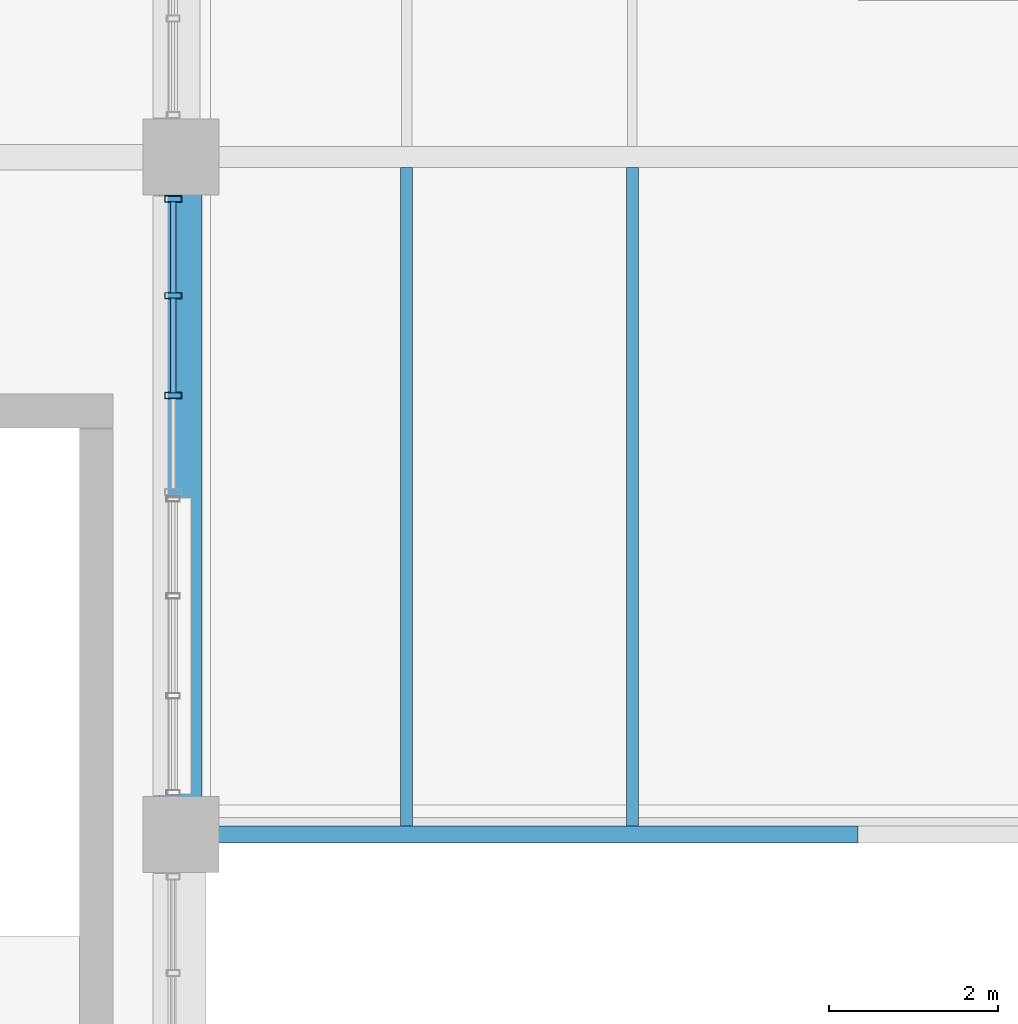
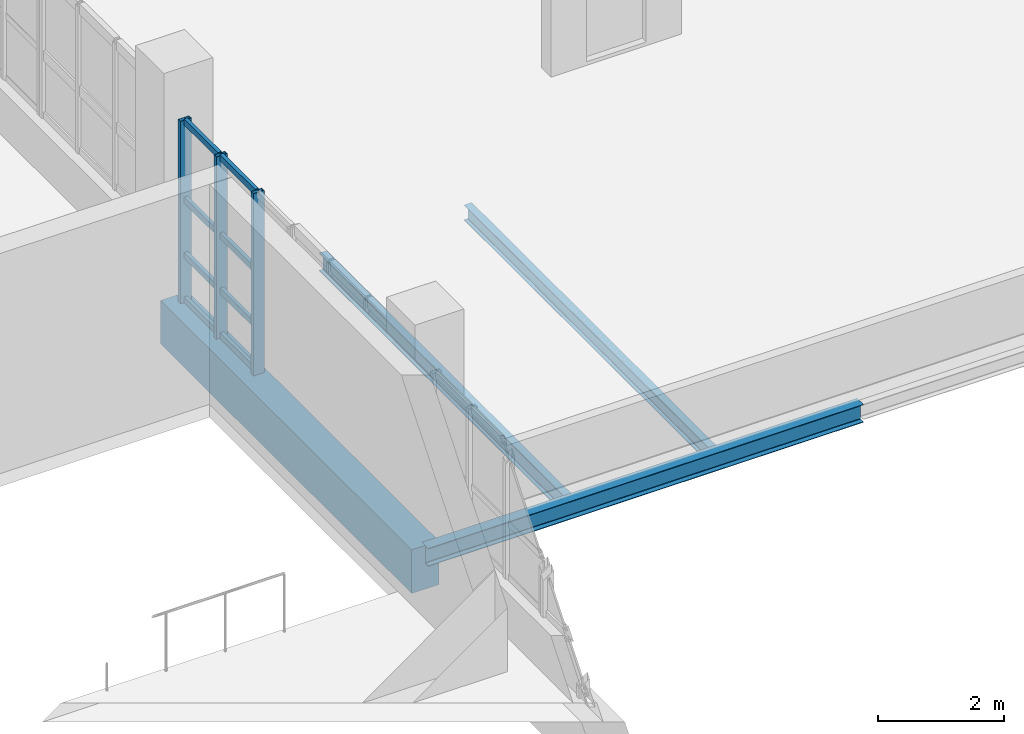
# One storey, part 11 of 85: 11 members, 4 beams, 1 element without a shape of its own.
"""IFC4 building model written with IfcOpenShell, lengths in metres."""

from ifc_helpers import new_model, si_unit, derived_unit, direction, frame, origin, origin_2d, place, context, subcontext, project, spatial, rectangle, hollow_rectangle, i_section, extrude, material, layer, layer_set, material_profile, profile_set, type_object, element, aggregate, save


model = new_model("IFC4")

# Units and contexts
model_context = context("Model", 3, precision=1e-05, world=origin(), true_north=direction((0.0, 1.0)))
body_context = subcontext(model_context, "Body", "Model", "MODEL_VIEW")
ifc_project = project(units=[si_unit("LENGTHUNIT", "METRE"), si_unit("AREAUNIT", "SQUARE_METRE"), si_unit("VOLUMEUNIT", "CUBIC_METRE"), si_unit("PLANEANGLEUNIT", "RADIAN"), si_unit("MASSUNIT", "GRAM", prefix="KILO"), derived_unit("THERMALTRANSMITTANCEUNIT", [(si_unit("POWERUNIT", "WATT"), 1), (si_unit("LENGTHUNIT", "METRE"), -2), (si_unit("THERMODYNAMICTEMPERATUREUNIT", "KELVIN"), -1)])], contexts=[model_context])

# Site, building, storey
site_placement = place(None, origin())
site = spatial("IfcSite", under=ifc_project, at=site_placement, CompositionType="ELEMENT")
building_placement = place(site_placement, origin())
building = spatial("IfcBuilding", under=site, at=building_placement, Name="Nallur Shell Playhouse", CompositionType="ELEMENT")
storey_placement = place(building_placement, frame((0.0, 0.0, 19.800048828125)))
storey = spatial("IfcBuildingStorey", under=building, at=storey_placement, Name="L05", CompositionType="ELEMENT", Elevation=19.800048828125)

# Beams
ifc_material_1 = material(Name="Steel E250", Category="steel")
ifc_material_profile_1 = material_profile(ifc_material_1, i_section(OverallWidth=0.139892578125, OverallDepth=0.300048828125, WebThickness=0.0078125, FlangeThickness=0.01318359375, FilletRadius=0.013916015625, at=origin_2d()), Name="ISMB 300")
ifc_profile_set_1 = profile_set([ifc_material_profile_1], Name="Steel E250")
beam_type_1 = type_object("IfcBeamType", Name="BM-JST-ISMB300", PredefinedType="JOIST", material=ifc_profile_set_1)
beam_1_placement = place(storey_placement, frame((45.333251953125, 16.097900390625, -0.400146484375), z_axis=(0.0, 1.0, 0.0), x_axis=(-1.0, 0.0, 0.0)))
element("IfcBeam", 1, at=beam_1_placement, inside=storey, type_object=beam_type_1, Name="L05 secondary joist 5-B-1083", PredefinedType="JOIST", context=body_context, shape_type="SweptSolid", body=[
    extrude(i_section(OverallWidth=0.139892578125, OverallDepth=0.300048828125, WebThickness=0.0078125, FlangeThickness=0.01318359375, FilletRadius=0.013916015625, at=origin_2d()), origin(), (0.0, 0.0, 1.0), 7.779052734375),
])
ifc_material_profile_2 = material_profile(ifc_material_1, i_section(OverallWidth=0.139892578125, OverallDepth=0.35009765625, WebThickness=0.008056640625, FlangeThickness=0.01416015625, FilletRadius=0.013916015625, at=origin_2d()), Name="ISMB 350")
ifc_profile_set_2 = profile_set([ifc_material_profile_2], Name="Steel E250")
beam_type_2 = type_object("IfcBeamType", Name="BM-JST-ISMB350", PredefinedType="JOIST", material=ifc_profile_set_2)
beam_2_placement = place(storey_placement, frame((42.666748046875, 16.097900390625, -0.425048828125), z_axis=(0.0, 1.0, 0.0), x_axis=(-1.0, 0.0, 0.0)))
element("IfcBeam", 2, at=beam_2_placement, inside=storey, type_object=beam_type_2, Name="L05 secondary joist 5-B-1082", PredefinedType="JOIST", context=body_context, shape_type="SweptSolid", body=[
    extrude(i_section(OverallWidth=0.139892578125, OverallDepth=0.35009765625, WebThickness=0.008056640625, FlangeThickness=0.01416015625, FilletRadius=0.013916015625, at=origin_2d()), origin(), (0.0, 0.0, 1.0), 7.779052734375),
])
ifc_material_2 = material(Name="Concrete M40", Category="concrete")
ifc_material_profile_3 = material_profile(ifc_material_2, rectangle(XDim=0.5, YDim=0.85009765625, at=origin_2d()), Name="RC 500x850")
ifc_profile_set_3 = profile_set([ifc_material_profile_3], Name="Concrete M40")
beam_type_3 = type_object("IfcBeamType", Name="BM-RC-500x850", PredefinedType="BEAM", material=ifc_profile_set_3)
beam_3_placement = place(storey_placement, frame((40.0, 16.0, -0.675048828125), z_axis=(0.0, 1.0, 0.0), x_axis=(-1.0, 0.0, 0.0)))
element("IfcBeam", 3, at=beam_3_placement, inside=storey, type_object=beam_type_3, Name="L05 girder Y-5-1005", PredefinedType="BEAM", context=body_context, shape_type="SweptSolid", body=[
    extrude(rectangle(XDim=0.5, YDim=0.85009765625, at=origin_2d()), origin(), (0.0, 0.0, 1.0), 8.0),
])
ifc_material_3 = material(Name="Steel E350", Category="steel")
ifc_material_profile_4 = material_profile(ifc_material_3, i_section(OverallWidth=0.199951171875, OverallDepth=0.35009765625, WebThickness=0.008056640625, FlangeThickness=0.011474609375, FilletRadius=0.011962890625, at=origin_2d()), Name="ISWB 350")
ifc_profile_set_4 = profile_set([ifc_material_profile_4], Name="Steel E350")
beam_type_4 = type_object("IfcBeamType", Name="BM-ST-ISWB350", PredefinedType="BEAM", material=ifc_profile_set_4)
beam_4_placement = place(storey_placement, frame((40.0, 16.0, -0.425048828125), z_axis=(1.0, 0.0, 0.0), x_axis=(0.0, 1.0, 0.0)))
element("IfcBeam", 4, at=beam_4_placement, inside=storey, type_object=beam_type_4, Name="L05 girder X-B-934", PredefinedType="BEAM", context=body_context, shape_type="SweptSolid", body=[
    extrude(i_section(OverallWidth=0.199951171875, OverallDepth=0.35009765625, WebThickness=0.008056640625, FlangeThickness=0.011474609375, FilletRadius=0.011962890625, at=origin_2d()), origin(), (0.0, 0.0, 1.0), 8.0),
])

# Curtain wall, members
ifc_material_4 = material(Name="Anodised Aluminium Double-Glazed Facade System", Category="aluminium")
ifc_layer = layer(ifc_material_4, 0.179931640625)
ifc_layer_set = layer_set([ifc_layer], Name="Anodised Aluminium Double-Glazed Facade System")
curtain_wall_type = type_object("IfcCurtainWallType", Name="CW-UNIT-23", PredefinedType="NOTDEFINED", material=ifc_layer_set)
curtain_wall_placement = place(storey_placement, origin())
curtain_wall = element("IfcCurtainWall", 5, at=curtain_wall_placement, inside=storey, type_object=curtain_wall_type, Name="Unitised curtain wall CW-183 (L05)", PredefinedType="NOTDEFINED")
ifc_material_5 = material(Name="Aluminium Alloy 6063-T6 Mullion", Category="aluminium")
ifc_material_profile_5 = material_profile(ifc_material_5, hollow_rectangle(XDim=0.074951171875, YDim=0.199951171875, WallThickness=0.0048828125, at=origin_2d()), Name="ALU 75x200x5")
ifc_profile_set_5 = profile_set([ifc_material_profile_5], Name="Aluminium Alloy 6063-T6 Mullion")
member_type_1 = type_object("IfcMemberType", Name="MB-CW-MUL180", PredefinedType="MULLION", material=ifc_profile_set_5)
member_1_placement = place(storey_placement, frame((39.909912109375, 23.50439453125, -0.01513671875), z_axis=(0.0, 0.0, 1.0), x_axis=(0.0, -1.0, 0.0)))
member_1 = element("IfcMember", 6, at=member_1_placement, type_object=member_type_1, Name="CW-23 mullion 1", PredefinedType="MULLION", context=body_context, shape_type="SweptSolid", body=[
    extrude(hollow_rectangle(XDim=0.074951171875, YDim=0.199951171875, WallThickness=0.0048828125, at=origin_2d()), origin(), (0.0, 0.0, 1.0), 3.544189453125),
])
member_2_placement = place(storey_placement, frame((39.909912109375, 22.363037109375, -0.01513671875), z_axis=(0.0, 0.0, 1.0), x_axis=(0.0, -1.0, 0.0)))
member_2 = element("IfcMember", 7, at=member_2_placement, type_object=member_type_1, Name="CW-23 mullion 2", PredefinedType="MULLION", context=body_context, shape_type="SweptSolid", body=[
    extrude(hollow_rectangle(XDim=0.074951171875, YDim=0.199951171875, WallThickness=0.0048828125, at=origin_2d()), origin(), (0.0, 0.0, 1.0), 3.544189453125),
])
member_3_placement = place(storey_placement, frame((39.909912109375, 21.18408203125, -0.01513671875), z_axis=(0.0, 0.0, 1.0), x_axis=(0.0, -1.0, 0.0)))
member_3 = element("IfcMember", 8, at=member_3_placement, type_object=member_type_1, Name="CW-23 mullion 3", PredefinedType="MULLION", context=body_context, shape_type="SweptSolid", body=[
    extrude(hollow_rectangle(XDim=0.074951171875, YDim=0.199951171875, WallThickness=0.0048828125, at=origin_2d()), origin(), (0.0, 0.0, 1.0), 3.544189453125),
])
ifc_material_6 = material(Name="Aluminium Alloy 6063-T6 Transom", Category="aluminium")
ifc_material_profile_6 = material_profile(ifc_material_6, hollow_rectangle(XDim=0.06494140625, YDim=0.1201171875, WallThickness=0.00390625, at=origin_2d()), Name="ALU 65x120x4")
ifc_profile_set_6 = profile_set([ifc_material_profile_6], Name="Aluminium Alloy 6063-T6 Transom")
member_type_2 = type_object("IfcMemberType", Name="MB-CW-TRN120", PredefinedType="USERDEFINED", material=ifc_profile_set_6)
member_4_placement = place(storey_placement, frame((39.909912109375, 23.47509765625, 0.032470703125), z_axis=(0.0, -1.0, 0.0), x_axis=(1.0, 0.0, 0.0)))
member_4 = element("IfcMember", 9, at=member_4_placement, type_object=member_type_2, Name="CW-23 transom 1.1", ObjectType="TRANSOM", PredefinedType="USERDEFINED", context=body_context, shape_type="SweptSolid", body=[
    extrude(hollow_rectangle(XDim=0.06494140625, YDim=0.1201171875, WallThickness=0.00390625, at=origin_2d()), origin(), (0.0, 0.0, 1.0), 1.08251953125),
])
member_5_placement = place(storey_placement, frame((39.909912109375, 23.47509765625, 0.89990234375), z_axis=(0.0, -1.0, 0.0), x_axis=(1.0, 0.0, 0.0)))
member_5 = element("IfcMember", 10, at=member_5_placement, type_object=member_type_2, Name="CW-23 transom 1.2", ObjectType="TRANSOM", PredefinedType="USERDEFINED", context=body_context, shape_type="SweptSolid", body=[
    extrude(hollow_rectangle(XDim=0.06494140625, YDim=0.1201171875, WallThickness=0.00390625, at=origin_2d()), origin(), (0.0, 0.0, 1.0), 1.08251953125),
])
member_6_placement = place(storey_placement, frame((39.909912109375, 23.47509765625, 1.973876953125), z_axis=(0.0, -1.0, 0.0), x_axis=(1.0, 0.0, 0.0)))
member_6 = element("IfcMember", 11, at=member_6_placement, type_object=member_type_2, Name="CW-23 transom 1.3", ObjectType="TRANSOM", PredefinedType="USERDEFINED", context=body_context, shape_type="SweptSolid", body=[
    extrude(hollow_rectangle(XDim=0.06494140625, YDim=0.1201171875, WallThickness=0.00390625, at=origin_2d()), origin(), (0.0, 0.0, 1.0), 1.08251953125),
])
member_7_placement = place(storey_placement, frame((39.909912109375, 23.47509765625, 3.492431640625), z_axis=(0.0, -1.0, 0.0), x_axis=(1.0, 0.0, 0.0)))
member_7 = element("IfcMember", 12, at=member_7_placement, type_object=member_type_2, Name="CW-23 transom 1.4", ObjectType="TRANSOM", PredefinedType="USERDEFINED", context=body_context, shape_type="SweptSolid", body=[
    extrude(hollow_rectangle(XDim=0.06494140625, YDim=0.1201171875, WallThickness=0.00390625, at=origin_2d()), origin(), (0.0, 0.0, 1.0), 1.08251953125),
])
member_8_placement = place(storey_placement, frame((39.909912109375, 22.33349609375, 0.032470703125), z_axis=(0.0, -1.0, 0.0), x_axis=(1.0, 0.0, 0.0)))
member_8 = element("IfcMember", 13, at=member_8_placement, type_object=member_type_2, Name="CW-23 transom 2.1", ObjectType="TRANSOM", PredefinedType="USERDEFINED", context=body_context, shape_type="SweptSolid", body=[
    extrude(hollow_rectangle(XDim=0.06494140625, YDim=0.1201171875, WallThickness=0.00390625, at=origin_2d()), origin(), (0.0, 0.0, 1.0), 1.1201171875),
])
member_9_placement = place(storey_placement, frame((39.909912109375, 22.33349609375, 0.89990234375), z_axis=(0.0, -1.0, 0.0), x_axis=(1.0, 0.0, 0.0)))
member_9 = element("IfcMember", 14, at=member_9_placement, type_object=member_type_2, Name="CW-23 transom 2.2", ObjectType="TRANSOM", PredefinedType="USERDEFINED", context=body_context, shape_type="SweptSolid", body=[
    extrude(hollow_rectangle(XDim=0.06494140625, YDim=0.1201171875, WallThickness=0.00390625, at=origin_2d()), origin(), (0.0, 0.0, 1.0), 1.1201171875),
])
member_10_placement = place(storey_placement, frame((39.909912109375, 22.33349609375, 1.973876953125), z_axis=(0.0, -1.0, 0.0), x_axis=(1.0, 0.0, 0.0)))
member_10 = element("IfcMember", 15, at=member_10_placement, type_object=member_type_2, Name="CW-23 transom 2.3", ObjectType="TRANSOM", PredefinedType="USERDEFINED", context=body_context, shape_type="SweptSolid", body=[
    extrude(hollow_rectangle(XDim=0.06494140625, YDim=0.1201171875, WallThickness=0.00390625, at=origin_2d()), origin(), (0.0, 0.0, 1.0), 1.1201171875),
])
member_11_placement = place(storey_placement, frame((39.909912109375, 22.33349609375, 3.492431640625), z_axis=(0.0, -1.0, 0.0), x_axis=(1.0, 0.0, 0.0)))
member_11 = element("IfcMember", 16, at=member_11_placement, type_object=member_type_2, Name="CW-23 transom 2.4", ObjectType="TRANSOM", PredefinedType="USERDEFINED", context=body_context, shape_type="SweptSolid", body=[
    extrude(hollow_rectangle(XDim=0.06494140625, YDim=0.1201171875, WallThickness=0.00390625, at=origin_2d()), origin(), (0.0, 0.0, 1.0), 1.1201171875),
])
aggregate(curtain_wall, [member_1, member_2, member_3, member_4, member_5, member_6, member_7, member_8, member_9, member_10, member_11])

save(model, "model.ifc")
